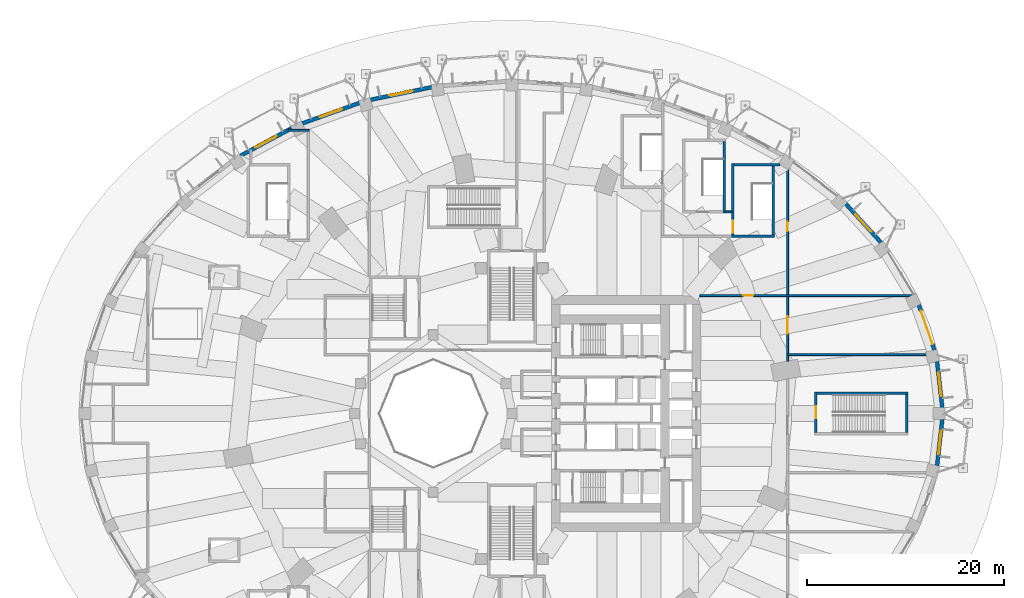
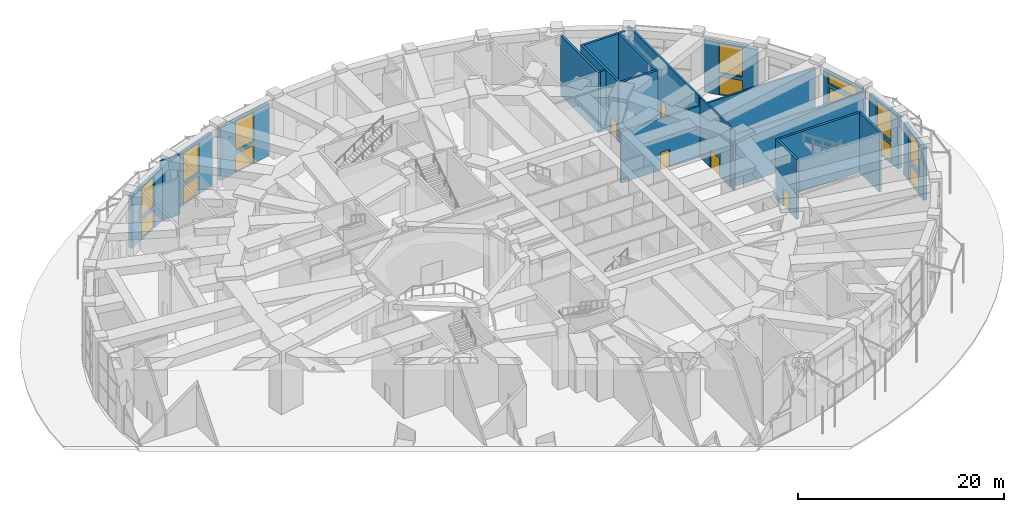
# One storey, part 39 of 60: 22 walls, 12 doors, 7 windows, 19 openings.
"""IFC4 building model written with IfcOpenShell, lengths in metres."""

import ifcopenshell
import ifcopenshell.guid

model = None  # the IFC model being written
_history = None  # IfcOwnerHistory: only IFC2X3 demands one
_inside = {}  # id of a spatial element -> (the spatial element, [elements in it])
_under = {}  # id of a project, library or spatial element -> (it, [spatial elements below it])
_declared = {}  # id of a project -> (the project, [libraries it declares])
_typed = {}  # id of a type object -> (the type object, [elements of that type])
_made_of = {}  # id of a material, layer set ... -> (it, [elements and type objects made of it])


def new_model(schema):
    """Start an empty IFC model of exactly this schema.

    Asked for "IFC4X3", IfcOpenShell would pick the latest addendum, in which some entities
    have other attributes; the version numbers below select the first issue.
    IFC2X3 requires an IfcOwnerHistory on every rooted entity: one is made here for all.
    """
    global model, _history
    if schema == "IFC4X3":
        model = ifcopenshell.file(schema_version=(4, 3, 0, 0))
    else:
        model = ifcopenshell.file(schema=schema)
    _inside.clear()
    _under.clear()
    _declared.clear()
    _typed.clear()
    _made_of.clear()
    _history = None
    if model.schema == "IFC2X3":
        org = make("IfcOrganization", Name="unknown")
        user = make(
            "IfcPersonAndOrganization",
            ThePerson=make("IfcPerson", FamilyName="unknown"),
            TheOrganization=org,
        )
        app = make(
            "IfcApplication",
            ApplicationDeveloper=org,
            Version="unknown",
            ApplicationFullName="unknown",
            ApplicationIdentifier="unknown",
        )
        _history = make(
            "IfcOwnerHistory",
            OwningUser=user,
            OwningApplication=app,
            ChangeAction="ADDED",
            CreationDate=0,
        )
    return model


def make(cls, **values):
    """One entity of the class cls with the attributes given. An attribute that is None is left unset."""
    return model.create_entity(
        cls, **{name: value for name, value in values.items() if value is not None}
    )


def rooted(cls, **values):
    """An entity with a GlobalId (a new one), such as an element, a storey or a relation."""
    return make(cls, GlobalId=ifcopenshell.guid.new(), OwnerHistory=_history, **values)


def si_unit(unit_type, name, prefix=None):
    """IfcSIUnit, for example si_unit("LENGTHUNIT", "METRE", prefix="MILLI")."""
    return make("IfcSIUnit", UnitType=unit_type, Prefix=prefix, Name=name)


def assignment(units):
    """IfcUnitAssignment: the units of a project."""
    return None if units is None else make("IfcUnitAssignment", Units=units)


def point(xyz):
    """IfcCartesianPoint."""
    return None if xyz is None else make("IfcCartesianPoint", Coordinates=xyz)


def direction(xyz):
    """IfcDirection."""
    return None if xyz is None else make("IfcDirection", DirectionRatios=xyz)


def frame(location, z_axis=None, x_axis=None):
    """IfcAxis2Placement3D, a coordinate frame: its origin and axes. An axis left out is left unset."""
    return make(
        "IfcAxis2Placement3D",
        Location=point(location),
        Axis=direction(z_axis),
        RefDirection=direction(x_axis),
    )


def frame_2d(location, x_axis=None):
    """IfcAxis2Placement2D, a coordinate frame in the plane: its origin and x axis."""
    return make(
        "IfcAxis2Placement2D", Location=point(location), RefDirection=direction(x_axis)
    )


def origin():
    """The frame at (0, 0, 0) with its axes left unset."""
    return frame((0.0, 0.0, 0.0))


def place(relative_to, where):
    """IfcLocalPlacement: puts the frame where relative to a parent placement (None: the world)."""
    return make(
        "IfcLocalPlacement", PlacementRelTo=relative_to, RelativePlacement=where
    )


def context(
    kind, dimensions, precision=None, world=None, true_north=None, identifier=None
):
    """IfcGeometricRepresentationContext, for example the 3D "Model" context."""
    return make(
        "IfcGeometricRepresentationContext",
        ContextIdentifier=identifier,
        ContextType=kind,
        CoordinateSpaceDimension=dimensions,
        Precision=precision,
        WorldCoordinateSystem=world,
        TrueNorth=true_north,
    )


def subcontext(parent, identifier, kind, view, scale=None):
    """IfcGeometricRepresentationSubContext, for example "Body" below "Model"."""
    return make(
        "IfcGeometricRepresentationSubContext",
        ContextIdentifier=identifier,
        ContextType=kind,
        ParentContext=parent,
        TargetScale=scale,
        TargetView=view,
    )


def project(units=None, contexts=None):
    """IfcProject with its units and contexts."""
    return rooted(
        "IfcProject",
        Name="project",
        RepresentationContexts=contexts,
        UnitsInContext=assignment(units),
    )


def spatial(cls, under=None, at=None, **own):
    """A site, building, storey or space (cls), placed at a placement, below another one or the project."""
    s = rooted(cls, ObjectPlacement=at, **own)
    if under is not None:
        _under.setdefault(under.id(), (under, []))[1].append(s)
    return s


def profile(cls, at=None, kind="AREA", **sizes):
    """A parametric profile (cls). Its sizes go by their IFC names, for example OverallWidth=200.0."""
    return make(cls, ProfileType=kind, Position=at, **sizes)


def rectangle(**sizes):
    """IfcRectangleProfileDef."""
    return profile("IfcRectangleProfileDef", **sizes)


def extrude(swept, where, along, depth):
    """IfcExtrudedAreaSolid: the profile swept, set in the frame where, extruded along a direction by depth."""
    return make(
        "IfcExtrudedAreaSolid",
        SweptArea=swept,
        Position=where,
        ExtrudedDirection=direction(along),
        Depth=depth,
    )


def shape(context_of_items, identifier, shape_type, items):
    """IfcShapeRepresentation: the items that make up one representation, for example the "Body"."""
    return make(
        "IfcShapeRepresentation",
        ContextOfItems=context_of_items,
        RepresentationIdentifier=identifier,
        RepresentationType=shape_type,
        Items=items,
    )


def material(Name=None, Category=None):
    """IfcMaterial."""
    return make("IfcMaterial", Name=Name, Category=Category)


def layer(
    of_material, thickness, ventilated=None, Name=None, Category=None, Priority=None
):
    """IfcMaterialLayer: one layer of a wall or slab, of a material (None: an air gap)."""
    return make(
        "IfcMaterialLayer",
        Material=of_material,
        LayerThickness=thickness,
        IsVentilated=ventilated,
        Name=Name,
        Category=Category,
        Priority=Priority,
    )


def layer_set(layers, Name=None):
    """IfcMaterialLayerSet."""
    return make("IfcMaterialLayerSet", MaterialLayers=layers, LayerSetName=Name)


def made_of(thing, what):
    """Note that an element or type object is made of a material, layer set ...; save() writes the relation."""
    if what is not None:
        _made_of.setdefault(what.id(), (what, []))[1].append(thing)
    return thing


def type_object(cls, material=None, **own):
    """A type object (cls), such as IfcWallType, which elements share."""
    return made_of(rooted(cls, **own), material)


def element(
    cls,
    number,
    at=None,
    inside=None,
    cuts=None,
    type_object=None,
    material=None,
    context=None,
    identifier="Body",
    shape_type=None,
    held_by="IfcProductDefinitionShape",
    body=None,
    shapes=None,
    **own,
):
    """One element of the class cls, such as IfcWall. Its Tag is "e" and its number.

    at: its placement. inside: the storey or other place that contains it. cuts: it is an
    opening in that element (IfcRelVoidsElement). A single representation is given by context,
    identifier, shape_type and body (its items); several are given by shapes. held_by: the class
    of the entity that holds the representations. save() writes the other relations.
    """
    e = rooted(cls, Tag="e%d" % number, ObjectPlacement=at, **own)
    if body is not None:
        shapes = [shape(context, identifier, shape_type, body)]
    if shapes is not None:
        e.Representation = make(held_by, Representations=shapes)
    if inside is not None:
        _inside.setdefault(inside.id(), (inside, []))[1].append(e)
    if cuts is not None:
        rooted(
            "IfcRelVoidsElement", RelatingBuildingElement=cuts, RelatedOpeningElement=e
        )
    if type_object is not None:
        _typed.setdefault(type_object.id(), (type_object, []))[1].append(e)
    return made_of(e, material)


def fill(opening, filler):
    """IfcRelFillsElement: the door or window that sits in an opening."""
    return rooted(
        "IfcRelFillsElement",
        RelatingOpeningElement=opening,
        RelatedBuildingElement=filler,
    )


def aggregate(whole, parts):
    """IfcRelAggregates: a whole, such as a stair, and the parts it consists of."""
    return rooted("IfcRelAggregates", RelatingObject=whole, RelatedObjects=parts)


def save(model, path):
    """Write the relations noted so far, then the file.

    IfcRelAggregates (storeys below a building ...), IfcRelContainedInSpatialStructure (elements
    in a storey), IfcRelDefinesByType, IfcRelAssociatesMaterial and IfcRelDeclares: one each for
    every whole, place, type object, material and project.
    """
    for whole, parts in _under.values():
        aggregate(whole, parts)
    for where, things in _inside.values():
        rooted(
            "IfcRelContainedInSpatialStructure",
            RelatedElements=things,
            RelatingStructure=where,
        )
    for kind, things in _typed.values():
        rooted("IfcRelDefinesByType", RelatedObjects=things, RelatingType=kind)
    for what, things in _made_of.values():
        rooted("IfcRelAssociatesMaterial", RelatedObjects=things, RelatingMaterial=what)
    for by, libraries in _declared.values():
        rooted("IfcRelDeclares", RelatingContext=by, RelatedDefinitions=libraries)
    model.write(path)


model = new_model("IFC4")

# Units and contexts
model_context = context("Model", 3, precision=1e-05, world=origin(), true_north=direction((0.0, 1.0)))
body_context = subcontext(model_context, "Body", "Model", "MODEL_VIEW")
ifc_project = project(units=[si_unit("LENGTHUNIT", "METRE"), si_unit("AREAUNIT", "SQUARE_METRE"), si_unit("VOLUMEUNIT", "CUBIC_METRE"), si_unit("PLANEANGLEUNIT", "RADIAN"), si_unit("MASSUNIT", "GRAM", prefix="KILO")], contexts=[model_context])

# Site, building, storey
site_placement = place(None, origin())
site = spatial("IfcSite", under=ifc_project, at=site_placement, CompositionType="ELEMENT")
building_placement = place(site_placement, origin())
building = spatial("IfcBuilding", under=site, at=building_placement, Name="Taillehof Tower", CompositionType="ELEMENT")
storey_placement = place(building_placement, origin())
storey = spatial("IfcBuildingStorey", under=building, at=storey_placement, Name="L00", CompositionType="ELEMENT", Elevation=0.0)

# Wall, openings, door, window
ifc_material_1 = material(Name="Brick masonry", Category="masonry")
ifc_layer_1 = layer(ifc_material_1, 0.39990234375)
ifc_layer_set_1 = layer_set([ifc_layer_1], Name="Brick facade wall 400")
wall_type_1 = type_object("IfcWallType", Name="Brick facade wall 400", PredefinedType="SOLIDWALL", material=ifc_layer_set_1)
wall_1_placement = place(storey_placement, frame((43.73388671875, 0.5703125, 0.0), z_axis=(0.0, 0.0, 1.0), x_axis=(-0.112954392721, 0.993600173694, 0.0)))
wall_1 = element("IfcWall", 1, at=wall_1_placement, inside=storey, type_object=wall_type_1, Name="Brick wall L00 bay 1", PredefinedType="SOLIDWALL", context=body_context, shape_type="SweptSolid", body=[
    extrude(rectangle(XDim=4.77880859375, YDim=0.39990234375, at=frame_2d((2.389404296875, 0.0))), origin(), (0.0, 0.0, 1.0), 6.18994140625),
])
opening_1_placement = place(wall_1_placement, frame((1.189453125, 0.0, 0.0)))
opening_1 = element("IfcOpeningElement", 2, at=opening_1_placement, cuts=wall_1, Name="Opening E18", PredefinedType="OPENING", context=body_context, shape_type="SweptSolid", body=[
    extrude(rectangle(XDim=2.39990234375, YDim=2.199951171875, at=frame_2d((1.199951171875, 1.10009765625))), frame((0.0, 0.2099609375, 0.0), z_axis=(0.0, -1.0, 0.0), x_axis=(1.0, 0.0, 0.0)), (0.0, 0.0, 1.0), 0.419921875),
])
opening_2_placement = place(wall_1_placement, frame((1.189453125, 0.0, 2.60009765625)))
opening_2 = element("IfcOpeningElement", 3, at=opening_2_placement, cuts=wall_1, Name="Opening FL1", PredefinedType="OPENING", context=body_context, shape_type="SweptSolid", body=[
    extrude(rectangle(XDim=2.39990234375, YDim=3.489990234375, at=frame_2d((1.199951171875, 1.7451171875))), frame((0.0, 0.2099609375, 0.0), z_axis=(0.0, -1.0, 0.0), x_axis=(1.0, 0.0, 0.0)), (0.0, 0.0, 1.0), 0.419921875),
])
ifc_material_2 = material(Name="Aluminium door frame with clear laminated safety glass", Category="aluminium")
door_type_1 = type_object("IfcDoorType", Name="Exit door 2400x2200", OperationType="DOUBLE_DOOR_DOUBLE_SWING", PredefinedType="DOOR", material=ifc_material_2)
door_1_placement = place(opening_1_placement, frame((2.39990234375, 0.0, 0.0), z_axis=(0.0, 0.0, 1.0), x_axis=(-1.0, 0.0, 0.0)))
door_1 = element("IfcDoor", 4, at=door_1_placement, inside=storey, type_object=door_type_1, Name="Door E18", OperationType="DOUBLE_DOOR_SINGLE_SWING", OverallHeight=2.199951171875, OverallWidth=2.39990234375, PredefinedType="DOOR", context=body_context, shape_type="SweptSolid", body=[
    extrude(rectangle(XDim=2.39990234375, YDim=2.199951171875, at=frame_2d((1.199951171875, 1.10009765625))), frame((0.0, 0.0498046875, 0.0), z_axis=(0.0, -1.0, 0.0), x_axis=(1.0, 0.0, 0.0)), (0.0, 0.0, 1.0), 0.050048828125),
])
fill(opening_1, door_1)
ifc_material_3 = material(Name="Aluminium window frame with clear laminated safety glass", Category="aluminium")
window_type_1 = type_object("IfcWindowType", Name="Fixed fanlight 2400x3490", PartitioningType="SINGLE_PANEL", PredefinedType="WINDOW", material=ifc_material_3)
window_1_placement = place(opening_2_placement, origin())
window_1 = element("IfcWindow", 5, at=window_1_placement, inside=storey, type_object=window_type_1, Name="Fanlight over E18", OverallHeight=3.489990234375, OverallWidth=2.39990234375, PartitioningType="SINGLE_PANEL", PredefinedType="WINDOW", context=body_context, shape_type="SweptSolid", body=[
    extrude(rectangle(XDim=2.39990234375, YDim=3.489990234375, at=frame_2d((1.199951171875, 1.7451171875))), frame((0.0, 0.010009765625, 0.0), z_axis=(0.0, -1.0, 0.0), x_axis=(1.0, 0.0, 0.0)), (0.0, 0.0, 1.0), 0.06005859375),
])
fill(opening_2, window_1)

# Wall, openings, window, door
wall_2_placement = place(storey_placement, frame((42.94091796875, 6.430419921875, 0.0), z_axis=(0.0, 0.0, 1.0), x_axis=(-0.328772164332, 0.944409267193, 0.0)))
wall_2 = element("IfcWall", 6, at=wall_2_placement, inside=storey, type_object=wall_type_1, Name="Brick wall L00 bay 2", PredefinedType="SOLIDWALL", context=body_context, shape_type="SweptSolid", body=[
    extrude(rectangle(XDim=4.8935546875, YDim=0.39990234375, at=frame_2d((2.44677734375, 0.0))), origin(), (0.0, 0.0, 1.0), 6.18994140625),
])
opening_3_placement = place(wall_2_placement, frame((0.646728515625, 0.0, 0.0)))
opening_3 = element("IfcOpeningElement", 7, at=opening_3_placement, cuts=wall_2, Name="Opening D0091", PredefinedType="OPENING", context=body_context, shape_type="SweptSolid", body=[
    extrude(rectangle(XDim=3.60009765625, YDim=4.5, at=frame_2d((1.800048828125, 2.25))), frame((0.0, 0.2099609375, 0.0), z_axis=(0.0, -1.0, 0.0), x_axis=(1.0, 0.0, 0.0)), (0.0, 0.0, 1.0), 0.419921875),
])
opening_4_placement = place(wall_2_placement, frame((0.646728515625, 0.0, 4.89990234375)))
opening_4 = element("IfcOpeningElement", 8, at=opening_4_placement, cuts=wall_2, Name="Opening FL2", PredefinedType="OPENING", context=body_context, shape_type="SweptSolid", body=[
    extrude(rectangle(XDim=3.60009765625, YDim=1.18994140625, at=frame_2d((1.800048828125, 0.594970703125))), frame((0.0, 0.2099609375, 0.0), z_axis=(0.0, -1.0, 0.0), x_axis=(1.0, 0.0, 0.0)), (0.0, 0.0, 1.0), 0.419921875),
])
ifc_material_4 = material(Name="Aluminium window frame with clear laminated safety glass", Category="aluminium")
window_type_2 = type_object("IfcWindowType", Name="Fixed fanlight 3600x1190", PartitioningType="SINGLE_PANEL", PredefinedType="WINDOW", material=ifc_material_4)
window_2_placement = place(opening_4_placement, origin())
window_2 = element("IfcWindow", 9, at=window_2_placement, inside=storey, type_object=window_type_2, Name="Fanlight over D0091", OverallHeight=1.18994140625, OverallWidth=3.60009765625, PartitioningType="SINGLE_PANEL", PredefinedType="WINDOW", context=body_context, shape_type="SweptSolid", body=[
    extrude(rectangle(XDim=3.60009765625, YDim=1.18994140625, at=frame_2d((1.800048828125, 0.594970703125))), frame((0.0, 0.010009765625, 0.0), z_axis=(0.0, -1.0, 0.0), x_axis=(1.0, 0.0, 0.0)), (0.0, 0.0, 1.0), 0.06005859375),
])
fill(opening_4, window_2)
ifc_material_5 = material(Name="Steel loading door with insulated sectional panels", Category="steel")
door_type_2 = type_object("IfcDoorType", Name="Loading door 3600x4500", OperationType="ROLLINGUP", PredefinedType="DOOR", material=ifc_material_5)
door_2_placement = place(opening_3_placement, frame((3.60009765625, 0.0, 0.0), z_axis=(0.0, 0.0, 1.0), x_axis=(-1.0, 0.0, 0.0)))
door_2 = element("IfcDoor", 10, at=door_2_placement, inside=storey, type_object=door_type_2, Name="Door D0091", OperationType="ROLLINGUP", OverallHeight=4.5, OverallWidth=3.60009765625, PredefinedType="DOOR", context=body_context, shape_type="SweptSolid", body=[
    extrude(rectangle(XDim=3.60009765625, YDim=4.5, at=frame_2d((1.800048828125, 2.25))), frame((0.0, 0.0498046875, 0.0), z_axis=(0.0, -1.0, 0.0), x_axis=(1.0, 0.0, 0.0)), (0.0, 0.0, 1.0), 0.050048828125),
])
fill(opening_3, door_2)

# Wall, openings, door, window
wall_3_placement = place(storey_placement, frame((37.519775390625, 17.362548828125, 0.0), z_axis=(0.0, 0.0, 1.0), x_axis=(-0.672941720846, 0.739695505153, 0.0)))
wall_3 = element("IfcWall", 11, at=wall_3_placement, inside=storey, type_object=wall_type_1, Name="Brick wall L00 bay 4", PredefinedType="SOLIDWALL", context=body_context, shape_type="SweptSolid", body=[
    extrude(rectangle(XDim=5.376220703125, YDim=0.39990234375, at=frame_2d((2.68798828125, 0.0))), origin(), (0.0, 0.0, 1.0), 6.18994140625),
])
opening_5_placement = place(wall_3_placement, frame((1.488037109375, 0.0, 0.0)))
opening_5 = element("IfcOpeningElement", 12, at=opening_5_placement, cuts=wall_3, Name="Opening E14", PredefinedType="OPENING", context=body_context, shape_type="SweptSolid", body=[
    extrude(rectangle(XDim=2.39990234375, YDim=2.199951171875, at=frame_2d((1.199951171875, 1.10009765625))), frame((0.0, 0.2099609375, 0.0), z_axis=(0.0, -1.0, 0.0), x_axis=(1.0, 0.0, 0.0)), (0.0, 0.0, 1.0), 0.419921875),
])
opening_6_placement = place(wall_3_placement, frame((1.488037109375, 0.0, 2.60009765625)))
opening_6 = element("IfcOpeningElement", 13, at=opening_6_placement, cuts=wall_3, Name="Opening FL1", PredefinedType="OPENING", context=body_context, shape_type="SweptSolid", body=[
    extrude(rectangle(XDim=2.39990234375, YDim=3.489990234375, at=frame_2d((1.199951171875, 1.7451171875))), frame((0.0, 0.2099609375, 0.0), z_axis=(0.0, -1.0, 0.0), x_axis=(1.0, 0.0, 0.0)), (0.0, 0.0, 1.0), 0.419921875),
])
door_3_placement = place(opening_5_placement, frame((2.39990234375, 0.0, 0.0), z_axis=(0.0, 0.0, 1.0), x_axis=(-1.0, 0.0, 0.0)))
door_3 = element("IfcDoor", 14, at=door_3_placement, inside=storey, type_object=door_type_1, Name="Door E14", OperationType="DOUBLE_DOOR_SINGLE_SWING", OverallHeight=2.199951171875, OverallWidth=2.39990234375, PredefinedType="DOOR", context=body_context, shape_type="SweptSolid", body=[
    extrude(rectangle(XDim=2.39990234375, YDim=2.199951171875, at=frame_2d((1.199951171875, 1.10009765625))), frame((0.0, 0.0498046875, 0.0), z_axis=(0.0, -1.0, 0.0), x_axis=(1.0, 0.0, 0.0)), (0.0, 0.0, 1.0), 0.050048828125),
])
fill(opening_5, door_3)
window_3_placement = place(opening_6_placement, origin())
window_3 = element("IfcWindow", 15, at=window_3_placement, inside=storey, type_object=window_type_1, Name="Fanlight over E14", OverallHeight=3.489990234375, OverallWidth=2.39990234375, PartitioningType="SINGLE_PANEL", PredefinedType="WINDOW", context=body_context, shape_type="SweptSolid", body=[
    extrude(rectangle(XDim=2.39990234375, YDim=3.489990234375, at=frame_2d((1.199951171875, 1.7451171875))), frame((0.0, 0.010009765625, 0.0), z_axis=(0.0, -1.0, 0.0), x_axis=(1.0, 0.0, 0.0)), (0.0, 0.0, 1.0), 0.06005859375),
])
fill(opening_6, window_3)

wall_4_placement = place(storey_placement, frame((-8.14990234375, 33.173095703125, 0.0), z_axis=(0.0, 0.0, 1.0), x_axis=(-0.979388896242, -0.201983637746, 0.0)))
wall_4 = element("IfcWall", 16, at=wall_4_placement, inside=storey, type_object=wall_type_1, Name="Brick wall L00 bay 11", PredefinedType="SOLIDWALL", context=body_context, shape_type="SweptSolid", body=[
    extrude(rectangle(XDim=6.37353515625, YDim=0.39990234375, at=frame_2d((3.186767578125, 0.0))), origin(), (0.0, 0.0, 1.0), 6.18994140625),
])
opening_7_placement = place(wall_4_placement, frame((1.98681640625, 0.0, 0.0)))
opening_7 = element("IfcOpeningElement", 17, at=opening_7_placement, cuts=wall_4, Name="Opening E17", PredefinedType="OPENING", context=body_context, shape_type="SweptSolid", body=[
    extrude(rectangle(XDim=2.39990234375, YDim=2.199951171875, at=frame_2d((1.199951171875, 1.10009765625))), frame((0.0, 0.2099609375, 0.0), z_axis=(0.0, -1.0, 0.0), x_axis=(1.0, 0.0, 0.0)), (0.0, 0.0, 1.0), 0.419921875),
])
opening_8_placement = place(wall_4_placement, frame((1.98681640625, 0.0, 2.60009765625)))
opening_8 = element("IfcOpeningElement", 18, at=opening_8_placement, cuts=wall_4, Name="Opening FL1", PredefinedType="OPENING", context=body_context, shape_type="SweptSolid", body=[
    extrude(rectangle(XDim=2.39990234375, YDim=3.489990234375, at=frame_2d((1.199951171875, 1.7451171875))), frame((0.0, 0.2099609375, 0.0), z_axis=(0.0, -1.0, 0.0), x_axis=(1.0, 0.0, 0.0)), (0.0, 0.0, 1.0), 0.419921875),
])
door_4_placement = place(opening_7_placement, frame((2.39990234375, 0.0, 0.0), z_axis=(0.0, 0.0, 1.0), x_axis=(-1.0, 0.0, 0.0)))
door_4 = element("IfcDoor", 19, at=door_4_placement, inside=storey, type_object=door_type_1, Name="Door E17", OperationType="DOUBLE_DOOR_SINGLE_SWING", OverallHeight=2.199951171875, OverallWidth=2.39990234375, PredefinedType="DOOR", context=body_context, shape_type="SweptSolid", body=[
    extrude(rectangle(XDim=2.39990234375, YDim=2.199951171875, at=frame_2d((1.199951171875, 1.10009765625))), frame((0.0, 0.0498046875, 0.0), z_axis=(0.0, -1.0, 0.0), x_axis=(1.0, 0.0, 0.0)), (0.0, 0.0, 1.0), 0.050048828125),
])
fill(opening_7, door_4)
window_4_placement = place(opening_8_placement, origin())
window_4 = element("IfcWindow", 20, at=window_4_placement, inside=storey, type_object=window_type_1, Name="Fanlight over E17", OverallHeight=3.489990234375, OverallWidth=2.39990234375, PartitioningType="SINGLE_PANEL", PredefinedType="WINDOW", context=body_context, shape_type="SweptSolid", body=[
    extrude(rectangle(XDim=2.39990234375, YDim=3.489990234375, at=frame_2d((1.199951171875, 1.7451171875))), frame((0.0, 0.010009765625, 0.0), z_axis=(0.0, -1.0, 0.0), x_axis=(1.0, 0.0, 0.0)), (0.0, 0.0, 1.0), 0.06005859375),
])
fill(opening_8, window_4)

wall_5_placement = place(storey_placement, frame((-15.48974609375, 31.5771484375, 0.0), z_axis=(0.0, 0.0, 1.0), x_axis=(-0.941225814421, -0.337777983694, 0.0)))
wall_5 = element("IfcWall", 21, at=wall_5_placement, inside=storey, type_object=wall_type_1, Name="Brick wall L00 bay 12", PredefinedType="SOLIDWALL", context=body_context, shape_type="SweptSolid", body=[
    extrude(rectangle(XDim=6.19921875, YDim=0.39990234375, at=frame_2d((3.099609375, 0.0))), origin(), (0.0, 0.0, 1.0), 6.18994140625),
])
opening_9_placement = place(wall_5_placement, frame((1.899658203125, 0.0, 0.0)))
opening_9 = element("IfcOpeningElement", 22, at=opening_9_placement, cuts=wall_5, Name="Opening E1", PredefinedType="OPENING", context=body_context, shape_type="SweptSolid", body=[
    extrude(rectangle(XDim=2.39990234375, YDim=2.199951171875, at=frame_2d((1.199951171875, 1.10009765625))), frame((0.0, 0.2099609375, 0.0), z_axis=(0.0, -1.0, 0.0), x_axis=(1.0, 0.0, 0.0)), (0.0, 0.0, 1.0), 0.419921875),
])
opening_10_placement = place(wall_5_placement, frame((1.899658203125, 0.0, 2.60009765625)))
opening_10 = element("IfcOpeningElement", 23, at=opening_10_placement, cuts=wall_5, Name="Opening FL1", PredefinedType="OPENING", context=body_context, shape_type="SweptSolid", body=[
    extrude(rectangle(XDim=2.39990234375, YDim=3.489990234375, at=frame_2d((1.199951171875, 1.7451171875))), frame((0.0, 0.2099609375, 0.0), z_axis=(0.0, -1.0, 0.0), x_axis=(1.0, 0.0, 0.0)), (0.0, 0.0, 1.0), 0.419921875),
])
door_5_placement = place(opening_9_placement, frame((2.39990234375, 0.0, 0.0), z_axis=(0.0, 0.0, 1.0), x_axis=(-1.0, 0.0, 0.0)))
door_5 = element("IfcDoor", 24, at=door_5_placement, inside=storey, type_object=door_type_1, Name="Door E1", OperationType="DOUBLE_DOOR_SINGLE_SWING", OverallHeight=2.199951171875, OverallWidth=2.39990234375, PredefinedType="DOOR", context=body_context, shape_type="SweptSolid", body=[
    extrude(rectangle(XDim=2.39990234375, YDim=2.199951171875, at=frame_2d((1.199951171875, 1.10009765625))), frame((0.0, 0.0498046875, 0.0), z_axis=(0.0, -1.0, 0.0), x_axis=(1.0, 0.0, 0.0)), (0.0, 0.0, 1.0), 0.050048828125),
])
fill(opening_9, door_5)
window_5_placement = place(opening_10_placement, origin())
window_5 = element("IfcWindow", 25, at=window_5_placement, inside=storey, type_object=window_type_1, Name="Fanlight over E1", OverallHeight=3.489990234375, OverallWidth=2.39990234375, PartitioningType="SINGLE_PANEL", PredefinedType="WINDOW", context=body_context, shape_type="SweptSolid", body=[
    extrude(rectangle(XDim=2.39990234375, YDim=3.489990234375, at=frame_2d((1.199951171875, 1.7451171875))), frame((0.0, 0.010009765625, 0.0), z_axis=(0.0, -1.0, 0.0), x_axis=(1.0, 0.0, 0.0)), (0.0, 0.0, 1.0), 0.06005859375),
])
fill(opening_10, window_5)

wall_6_placement = place(storey_placement, frame((-22.365966796875, 29.018798828125, 0.0), z_axis=(0.0, 0.0, 1.0), x_axis=(-0.880313157301, -0.474393028072, 0.0)))
wall_6 = element("IfcWall", 26, at=wall_6_placement, inside=storey, type_object=wall_type_1, Name="Brick wall L00 bay 13", PredefinedType="SOLIDWALL", context=body_context, shape_type="SweptSolid", body=[
    extrude(rectangle(XDim=5.9580078125, YDim=0.39990234375, at=frame_2d((2.97900390625, 0.0))), origin(), (0.0, 0.0, 1.0), 6.18994140625),
])
opening_11_placement = place(wall_6_placement, frame((1.779052734375, 0.0, 0.0)))
opening_11 = element("IfcOpeningElement", 27, at=opening_11_placement, cuts=wall_6, Name="Opening E20", PredefinedType="OPENING", context=body_context, shape_type="SweptSolid", body=[
    extrude(rectangle(XDim=2.39990234375, YDim=2.199951171875, at=frame_2d((1.199951171875, 1.10009765625))), frame((0.0, 0.2099609375, 0.0), z_axis=(0.0, -1.0, 0.0), x_axis=(1.0, 0.0, 0.0)), (0.0, 0.0, 1.0), 0.419921875),
])
opening_12_placement = place(wall_6_placement, frame((1.779052734375, 0.0, 2.60009765625)))
opening_12 = element("IfcOpeningElement", 28, at=opening_12_placement, cuts=wall_6, Name="Opening FL1", PredefinedType="OPENING", context=body_context, shape_type="SweptSolid", body=[
    extrude(rectangle(XDim=2.39990234375, YDim=3.489990234375, at=frame_2d((1.199951171875, 1.7451171875))), frame((0.0, 0.2099609375, 0.0), z_axis=(0.0, -1.0, 0.0), x_axis=(1.0, 0.0, 0.0)), (0.0, 0.0, 1.0), 0.419921875),
])
door_6_placement = place(opening_11_placement, frame((2.39990234375, 0.0, 0.0), z_axis=(0.0, 0.0, 1.0), x_axis=(-1.0, 0.0, 0.0)))
door_6 = element("IfcDoor", 29, at=door_6_placement, inside=storey, type_object=door_type_1, Name="Door E20", OperationType="DOUBLE_DOOR_SINGLE_SWING", OverallHeight=2.199951171875, OverallWidth=2.39990234375, PredefinedType="DOOR", context=body_context, shape_type="SweptSolid", body=[
    extrude(rectangle(XDim=2.39990234375, YDim=2.199951171875, at=frame_2d((1.199951171875, 1.10009765625))), frame((0.0, 0.0498046875, 0.0), z_axis=(0.0, -1.0, 0.0), x_axis=(1.0, 0.0, 0.0)), (0.0, 0.0, 1.0), 0.050048828125),
])
fill(opening_11, door_6)
window_6_placement = place(opening_12_placement, origin())
window_6 = element("IfcWindow", 30, at=window_6_placement, inside=storey, type_object=window_type_1, Name="Fanlight over E20", OverallHeight=3.489990234375, OverallWidth=2.39990234375, PartitioningType="SINGLE_PANEL", PredefinedType="WINDOW", context=body_context, shape_type="SweptSolid", body=[
    extrude(rectangle(XDim=2.39990234375, YDim=3.489990234375, at=frame_2d((1.199951171875, 1.7451171875))), frame((0.0, 0.010009765625, 0.0), z_axis=(0.0, -1.0, 0.0), x_axis=(1.0, 0.0, 0.0)), (0.0, 0.0, 1.0), 0.06005859375),
])
fill(opening_12, window_6)

wall_7_placement = place(storey_placement, frame((43.194091796875, -5.318603515625, 0.0), z_axis=(0.0, 0.0, 1.0), x_axis=(0.112954392721, 0.993600173694, 0.0)))
wall_7 = element("IfcWall", 31, at=wall_7_placement, inside=storey, type_object=wall_type_1, Name="Brick wall L00 bay 36", PredefinedType="SOLIDWALL", context=body_context, shape_type="SweptSolid", body=[
    extrude(rectangle(XDim=4.77880859375, YDim=0.39990234375, at=frame_2d((2.389404296875, 0.0))), origin(), (0.0, 0.0, 1.0), 6.18994140625),
])
opening_13_placement = place(wall_7_placement, frame((1.189453125, 0.0, 0.0)))
opening_13 = element("IfcOpeningElement", 32, at=opening_13_placement, cuts=wall_7, Name="Opening E19", PredefinedType="OPENING", context=body_context, shape_type="SweptSolid", body=[
    extrude(rectangle(XDim=2.39990234375, YDim=2.199951171875, at=frame_2d((1.199951171875, 1.10009765625))), frame((0.0, 0.2099609375, 0.0), z_axis=(0.0, -1.0, 0.0), x_axis=(1.0, 0.0, 0.0)), (0.0, 0.0, 1.0), 0.419921875),
])
opening_14_placement = place(wall_7_placement, frame((1.189453125, 0.0, 2.60009765625)))
opening_14 = element("IfcOpeningElement", 33, at=opening_14_placement, cuts=wall_7, Name="Opening FL1", PredefinedType="OPENING", context=body_context, shape_type="SweptSolid", body=[
    extrude(rectangle(XDim=2.39990234375, YDim=3.489990234375, at=frame_2d((1.199951171875, 1.7451171875))), frame((0.0, 0.2099609375, 0.0), z_axis=(0.0, -1.0, 0.0), x_axis=(1.0, 0.0, 0.0)), (0.0, 0.0, 1.0), 0.419921875),
])
door_7_placement = place(opening_13_placement, frame((2.39990234375, 0.0, 0.0), z_axis=(0.0, 0.0, 1.0), x_axis=(-1.0, 0.0, 0.0)))
door_7 = element("IfcDoor", 34, at=door_7_placement, inside=storey, type_object=door_type_1, Name="Door E19", OperationType="DOUBLE_DOOR_SINGLE_SWING", OverallHeight=2.199951171875, OverallWidth=2.39990234375, PredefinedType="DOOR", context=body_context, shape_type="SweptSolid", body=[
    extrude(rectangle(XDim=2.39990234375, YDim=2.199951171875, at=frame_2d((1.199951171875, 1.10009765625))), frame((0.0, 0.0498046875, 0.0), z_axis=(0.0, -1.0, 0.0), x_axis=(1.0, 0.0, 0.0)), (0.0, 0.0, 1.0), 0.050048828125),
])
fill(opening_13, door_7)
window_7_placement = place(opening_14_placement, origin())
window_7 = element("IfcWindow", 35, at=window_7_placement, inside=storey, type_object=window_type_1, Name="Fanlight over E19", OverallHeight=3.489990234375, OverallWidth=2.39990234375, PartitioningType="SINGLE_PANEL", PredefinedType="WINDOW", context=body_context, shape_type="SweptSolid", body=[
    extrude(rectangle(XDim=2.39990234375, YDim=3.489990234375, at=frame_2d((1.199951171875, 1.7451171875))), frame((0.0, 0.010009765625, 0.0), z_axis=(0.0, -1.0, 0.0), x_axis=(1.0, 0.0, 0.0)), (0.0, 0.0, 1.0), 0.06005859375),
])
fill(opening_14, window_7)

# Wall
ifc_material_6 = material(Name="Calcium silicate blockwork", Category="masonry")
ifc_layer_2 = layer(ifc_material_6, 0.199951171875)
ifc_layer_set_2 = layer_set([ifc_layer_2], Name="Compartment wall EI 60 200 mm")
wall_type_2 = type_object("IfcWallType", Name="Compartment wall EI 60 200 mm", PredefinedType="PARTITIONING", material=ifc_layer_set_2)
wall_8_placement = place(storey_placement, frame((27.89990234375, 6.0, 0.0), z_axis=(0.0, 0.0, 1.0), x_axis=(1.0, 0.0, 0.0)))
element("IfcWall", 36, at=wall_8_placement, inside=storey, type_object=wall_type_2, Name="Wall L00-29 / L00-30", PredefinedType="PARTITIONING", context=body_context, shape_type="SweptSolid", body=[
    extrude(rectangle(XDim=15.125, YDim=0.199951171875, at=frame_2d((7.5625, 0.0))), origin(), (0.0, 0.0, 1.0), 6.090087890625),
])

# Wall, opening, door
wall_9_placement = place(storey_placement, frame((19.10009765625, 12.0, 0.0), z_axis=(0.0, 0.0, 1.0), x_axis=(1.0, 0.0, 0.0)))
wall_9 = element("IfcWall", 37, at=wall_9_placement, inside=storey, type_object=wall_type_2, Name="Wall L00-27 / L00-37", PredefinedType="PARTITIONING", context=body_context, shape_type="SweptSolid", body=[
    extrude(rectangle(XDim=21.766845703125, YDim=0.199951171875, at=frame_2d((10.88330078125, 0.0))), origin(), (0.0, 0.0, 1.0), 6.090087890625),
])
opening_15_placement = place(wall_9_placement, frame((4.39990234375, 0.0, 0.0)))
opening_15 = element("IfcOpeningElement", 38, at=opening_15_placement, cuts=wall_9, Name="Opening D0067", PredefinedType="OPENING", context=body_context, shape_type="SweptSolid", body=[
    extrude(rectangle(XDim=1.0, YDim=2.10009765625, at=frame_2d((0.5, 1.050048828125))), frame((0.0, 0.10986328125, 0.0), z_axis=(0.0, -1.0, 0.0), x_axis=(1.0, 0.0, 0.0)), (0.0, 0.0, 1.0), 0.219970703125),
])
ifc_material_7 = material(Name="Hollow metal door set")
door_type_3 = type_object("IfcDoorType", Name="Single door 1000 x 2100 FD60S", OperationType="SINGLE_SWING_LEFT", PredefinedType="DOOR", material=ifc_material_7)
door_8_placement = place(opening_15_placement, origin())
door_8 = element("IfcDoor", 39, at=door_8_placement, inside=storey, type_object=door_type_3, Name="Door D0067", OperationType="SINGLE_SWING_LEFT", OverallHeight=2.10009765625, OverallWidth=1.0, PredefinedType="DOOR", context=body_context, shape_type="SweptSolid", body=[
    extrude(rectangle(XDim=1.0, YDim=2.10009765625, at=frame_2d((0.5, 1.050048828125))), frame((0.0, 0.02490234375, 0.0), z_axis=(0.0, -1.0, 0.0), x_axis=(1.0, 0.0, 0.0)), (0.0, 0.0, 1.0), 0.050048828125),
])
fill(opening_15, door_8)

# Walls
wall_10_placement = place(storey_placement, frame((21.675048828125, 20.5, 0.0), z_axis=(0.0, 0.0, 1.0), x_axis=(1.0, 0.0, 0.0)))
element("IfcWall", 40, at=wall_10_placement, inside=storey, type_object=wall_type_2, Name="Wall L00-37 / L00-43", PredefinedType="PARTITIONING", context=body_context, shape_type="SweptSolid", body=[
    extrude(rectangle(XDim=0.64990234375, YDim=0.199951171875, at=frame_2d((0.324951171875, 0.0))), origin(), (0.0, 0.0, 1.0), 7.090087890625),
])
wall_11_placement = place(storey_placement, frame((-22.755126953125, 28.7900390625, 0.0), z_axis=(0.0, 0.0, 1.0), x_axis=(1.0, 0.0, 0.0)))
element("IfcWall", 41, at=wall_11_placement, inside=storey, type_object=wall_type_2, Name="Wall L00-35 / L00-38", PredefinedType="PARTITIONING", context=body_context, shape_type="SweptSolid", body=[
    extrude(rectangle(XDim=2.155029296875, YDim=0.199951171875, at=frame_2d((1.07763671875, 0.0))), origin(), (0.0, 0.0, 1.0), 7.090087890625),
])
wall_12_placement = place(storey_placement, frame((28.0, 5.3154296875, 0.0), z_axis=(0.0, 0.0, 1.0), x_axis=(0.0, 1.0, 0.0)))
element("IfcWall", 42, at=wall_12_placement, inside=storey, type_object=wall_type_2, Name="Wall L00-27 / L00-30", PredefinedType="PARTITIONING", context=body_context, shape_type="SweptSolid", body=[
    extrude(rectangle(XDim=0.58447265625, YDim=0.199951171875, at=frame_2d((0.292236328125, 0.0))), origin(), (0.0, 0.0, 1.0), 7.090087890625),
])

# Wall, opening, door
wall_13_placement = place(storey_placement, frame((28.0, 6.10009765625, 0.0), z_axis=(0.0, 0.0, 1.0), x_axis=(0.0, 1.0, 0.0)))
wall_13 = element("IfcWall", 43, at=wall_13_placement, inside=storey, type_object=wall_type_2, Name="Wall L00-27 / L00-29", PredefinedType="PARTITIONING", context=body_context, shape_type="SweptSolid", body=[
    extrude(rectangle(XDim=5.7998046875, YDim=0.199951171875, at=frame_2d((2.89990234375, 0.0))), origin(), (0.0, 0.0, 1.0), 7.090087890625),
])
opening_16_placement = place(wall_13_placement, frame((2.0, 0.0, 0.0)))
opening_16 = element("IfcOpeningElement", 44, at=opening_16_placement, cuts=wall_13, Name="Opening D0064", PredefinedType="OPENING", context=body_context, shape_type="SweptSolid", body=[
    extrude(rectangle(XDim=1.800048828125, YDim=2.10009765625, at=frame_2d((0.89990234375, 1.050048828125))), frame((0.0, 0.10986328125, 0.0), z_axis=(0.0, -1.0, 0.0), x_axis=(1.0, 0.0, 0.0)), (0.0, 0.0, 1.0), 0.219970703125),
])
ifc_material_8 = material(Name="Hollow metal door set")
door_type_4 = type_object("IfcDoorType", Name="Double door 1800 x 2100 FD60S", OperationType="DOUBLE_DOOR_SINGLE_SWING", PredefinedType="DOOR", material=ifc_material_8)
door_9_placement = place(opening_16_placement, origin())
door_9 = element("IfcDoor", 45, at=door_9_placement, inside=storey, type_object=door_type_4, Name="Door D0064", OperationType="DOUBLE_DOOR_SINGLE_SWING", OverallHeight=2.10009765625, OverallWidth=1.800048828125, PredefinedType="DOOR", context=body_context, shape_type="SweptSolid", body=[
    extrude(rectangle(XDim=1.800048828125, YDim=2.10009765625, at=frame_2d((0.89990234375, 1.050048828125))), frame((0.0, 0.02490234375, 0.0), z_axis=(0.0, -1.0, 0.0), x_axis=(1.0, 0.0, 0.0)), (0.0, 0.0, 1.0), 0.050048828125),
])
fill(opening_16, door_9)

wall_14_placement = place(storey_placement, frame((28.0, 12.10009765625, 0.0), z_axis=(0.0, 0.0, 1.0), x_axis=(0.0, 1.0, 0.0)))
wall_14 = element("IfcWall", 46, at=wall_14_placement, inside=storey, type_object=wall_type_2, Name="Wall L00-32 / L00-37", PredefinedType="PARTITIONING", context=body_context, shape_type="SweptSolid", body=[
    extrude(rectangle(XDim=13.831787109375, YDim=0.199951171875, at=frame_2d((6.916015625, 0.0))), origin(), (0.0, 0.0, 1.0), 7.090087890625),
])
opening_17_placement = place(wall_14_placement, frame((6.416015625, 0.0, 0.0)))
opening_17 = element("IfcOpeningElement", 47, at=opening_17_placement, cuts=wall_14, Name="Opening D0072", PredefinedType="OPENING", context=body_context, shape_type="SweptSolid", body=[
    extrude(rectangle(XDim=1.0, YDim=2.10009765625, at=frame_2d((0.5, 1.050048828125))), frame((0.0, 0.10986328125, 0.0), z_axis=(0.0, -1.0, 0.0), x_axis=(1.0, 0.0, 0.0)), (0.0, 0.0, 1.0), 0.219970703125),
])
door_10_placement = place(opening_17_placement, origin())
door_10 = element("IfcDoor", 48, at=door_10_placement, inside=storey, type_object=door_type_3, Name="Door D0072", OperationType="SINGLE_SWING_RIGHT", OverallHeight=2.10009765625, OverallWidth=1.0, PredefinedType="DOOR", context=body_context, shape_type="SweptSolid", body=[
    extrude(rectangle(XDim=1.0, YDim=2.10009765625, at=frame_2d((0.5, 1.050048828125))), frame((0.0, 0.02490234375, 0.0), z_axis=(0.0, -1.0, 0.0), x_axis=(1.0, 0.0, 0.0)), (0.0, 0.0, 1.0), 0.050048828125),
])
fill(opening_17, door_10)

# Walls
ifc_material_9 = material(Name="Concrete C40/50", Category="concrete")
ifc_layer_3 = layer(ifc_material_9, 0.25)
ifc_layer_set_3 = layer_set([ifc_layer_3], Name="Stair wall EI 120 250 mm")
wall_type_3 = type_object("IfcWallType", Name="Stair wall EI 120 250 mm", PredefinedType="SOLIDWALL", material=ifc_layer_set_3)
wall_15_placement = place(storey_placement, frame((31.0, 2.050048828125, 0.0), z_axis=(0.0, 0.0, 1.0), x_axis=(1.0, 0.0, 0.0)))
element("IfcWall", 49, at=wall_15_placement, inside=storey, type_object=wall_type_3, Name="Wall L00-05 / L00-30", PredefinedType="SOLIDWALL", context=body_context, shape_type="SweptSolid", body=[
    extrude(rectangle(XDim=9.25, YDim=0.25, at=frame_2d((4.625, 0.0))), origin(), (0.0, 0.0, 1.0), 7.090087890625),
])
wall_16_placement = place(storey_placement, frame((22.324951171875, 18.0, 0.0), z_axis=(0.0, 0.0, 1.0), x_axis=(1.0, 0.0, 0.0)))
element("IfcWall", 50, at=wall_16_placement, inside=storey, type_object=wall_type_3, Name="Wall L00-10 / L00-37", PredefinedType="SOLIDWALL", context=body_context, shape_type="SweptSolid", body=[
    extrude(rectangle(XDim=4.35009765625, YDim=0.25, at=frame_2d((2.175048828125, 0.0))), origin(), (0.0, 0.0, 1.0), 7.090087890625),
])
wall_17_placement = place(storey_placement, frame((22.574951171875, 25.2900390625, 0.0), z_axis=(0.0, 0.0, 1.0), x_axis=(1.0, 0.0, 0.0)))
element("IfcWall", 51, at=wall_17_placement, inside=storey, type_object=wall_type_3, Name="Wall L00-10 / L00-37", PredefinedType="SOLIDWALL", context=body_context, shape_type="SweptSolid", body=[
    extrude(rectangle(XDim=4.675537109375, YDim=0.25, at=frame_2d((2.337890625, 0.0))), origin(), (0.0, 0.0, 1.0), 7.090087890625),
])
wall_18_placement = place(storey_placement, frame((21.550048828125, 20.375, 0.0), z_axis=(0.0, 0.0, 1.0), x_axis=(0.0, 1.0, 0.0)))
element("IfcWall", 52, at=wall_18_placement, inside=storey, type_object=wall_type_3, Name="Wall L00-12 / L00-37", PredefinedType="SOLIDWALL", context=body_context, shape_type="SweptSolid", body=[
    extrude(rectangle(XDim=7.2900390625, YDim=0.25, at=frame_2d((3.64501953125, 0.0))), origin(), (0.0, 0.0, 1.0), 7.090087890625),
])

# Wall, opening, door
wall_19_placement = place(storey_placement, frame((22.449951171875, 18.125, 0.0), z_axis=(0.0, 0.0, 1.0), x_axis=(0.0, 1.0, 0.0)))
wall_19 = element("IfcWall", 53, at=wall_19_placement, inside=storey, type_object=wall_type_3, Name="Wall L00-10 / L00-43", PredefinedType="SOLIDWALL", context=body_context, shape_type="SweptSolid", body=[
    extrude(rectangle(XDim=7.2900390625, YDim=0.25, at=frame_2d((3.64501953125, 0.0))), origin(), (0.0, 0.0, 1.0), 7.090087890625),
])
opening_18_placement = place(wall_19_placement, frame((0.27490234375, 0.0, 0.0)))
opening_18 = element("IfcOpeningElement", 54, at=opening_18_placement, cuts=wall_19, Name="Opening D0071", PredefinedType="OPENING", context=body_context, shape_type="SweptSolid", body=[
    extrude(rectangle(XDim=1.199951171875, YDim=2.10009765625, at=frame_2d((0.60009765625, 1.050048828125))), frame((0.0, 0.135009765625, 0.0), z_axis=(0.0, -1.0, 0.0), x_axis=(1.0, 0.0, 0.0)), (0.0, 0.0, 1.0), 0.27001953125),
])
ifc_material_10 = material(Name="Hollow metal door set")
door_type_5 = type_object("IfcDoorType", Name="Single door 1200 x 2100 FD120S", OperationType="SINGLE_SWING_LEFT", PredefinedType="DOOR", material=ifc_material_10)
door_11_placement = place(opening_18_placement, origin())
door_11 = element("IfcDoor", 55, at=door_11_placement, inside=storey, type_object=door_type_5, Name="Door D0071", OperationType="SINGLE_SWING_RIGHT", OverallHeight=2.10009765625, OverallWidth=1.199951171875, PredefinedType="DOOR", context=body_context, shape_type="SweptSolid", body=[
    extrude(rectangle(XDim=1.199951171875, YDim=2.10009765625, at=frame_2d((0.60009765625, 1.050048828125))), frame((0.0, 0.02490234375, 0.0), z_axis=(0.0, -1.0, 0.0), x_axis=(1.0, 0.0, 0.0)), (0.0, 0.0, 1.0), 0.050048828125),
])
fill(opening_18, door_11)

# Wall
wall_20_placement = place(storey_placement, frame((26.550048828125, 18.125, 0.0), z_axis=(0.0, 0.0, 1.0), x_axis=(0.0, 1.0, 0.0)))
element("IfcWall", 56, at=wall_20_placement, inside=storey, type_object=wall_type_3, Name="Wall L00-10 / L00-37", PredefinedType="SOLIDWALL", context=body_context, shape_type="SweptSolid", body=[
    extrude(rectangle(XDim=7.0400390625, YDim=0.25, at=frame_2d((3.52001953125, 0.0))), origin(), (0.0, 0.0, 1.0), 7.090087890625),
])

# Wall, opening, door
wall_21_placement = place(storey_placement, frame((30.875, -1.925048828125, 0.0), z_axis=(0.0, 0.0, 1.0), x_axis=(0.0, 1.0, 0.0)))
wall_21 = element("IfcWall", 57, at=wall_21_placement, inside=storey, type_object=wall_type_3, Name="Wall L00-05 / L00-30", PredefinedType="SOLIDWALL", context=body_context, shape_type="SweptSolid", body=[
    extrude(rectangle(XDim=4.10009765625, YDim=0.25, at=frame_2d((2.050048828125, 0.0))), origin(), (0.0, 0.0, 1.0), 7.090087890625),
])
opening_19_placement = place(wall_21_placement, frame((1.449951171875, 0.0, 0.0)))
opening_19 = element("IfcOpeningElement", 58, at=opening_19_placement, cuts=wall_21, Name="Opening D0061", PredefinedType="OPENING", context=body_context, shape_type="SweptSolid", body=[
    extrude(rectangle(XDim=1.199951171875, YDim=2.10009765625, at=frame_2d((0.60009765625, 1.050048828125))), frame((0.0, 0.135009765625, 0.0), z_axis=(0.0, -1.0, 0.0), x_axis=(1.0, 0.0, 0.0)), (0.0, 0.0, 1.0), 0.27001953125),
])
door_12_placement = place(opening_19_placement, origin())
door_12 = element("IfcDoor", 59, at=door_12_placement, inside=storey, type_object=door_type_5, Name="Door D0061", OperationType="SINGLE_SWING_LEFT", OverallHeight=2.10009765625, OverallWidth=1.199951171875, PredefinedType="DOOR", context=body_context, shape_type="SweptSolid", body=[
    extrude(rectangle(XDim=1.199951171875, YDim=2.10009765625, at=frame_2d((0.60009765625, 1.050048828125))), frame((0.0, 0.02490234375, 0.0), z_axis=(0.0, -1.0, 0.0), x_axis=(1.0, 0.0, 0.0)), (0.0, 0.0, 1.0), 0.050048828125),
])
fill(opening_19, door_12)

# Wall
wall_22_placement = place(storey_placement, frame((40.125, -1.925048828125, 0.0), z_axis=(0.0, 0.0, 1.0), x_axis=(0.0, 1.0, 0.0)))
element("IfcWall", 60, at=wall_22_placement, inside=storey, type_object=wall_type_3, Name="Wall L00-05 / L00-30", PredefinedType="SOLIDWALL", context=body_context, shape_type="SweptSolid", body=[
    extrude(rectangle(XDim=3.85009765625, YDim=0.25, at=frame_2d((1.925048828125, 0.0))), origin(), (0.0, 0.0, 1.0), 7.090087890625),
])

save(model, "model.ifc")
